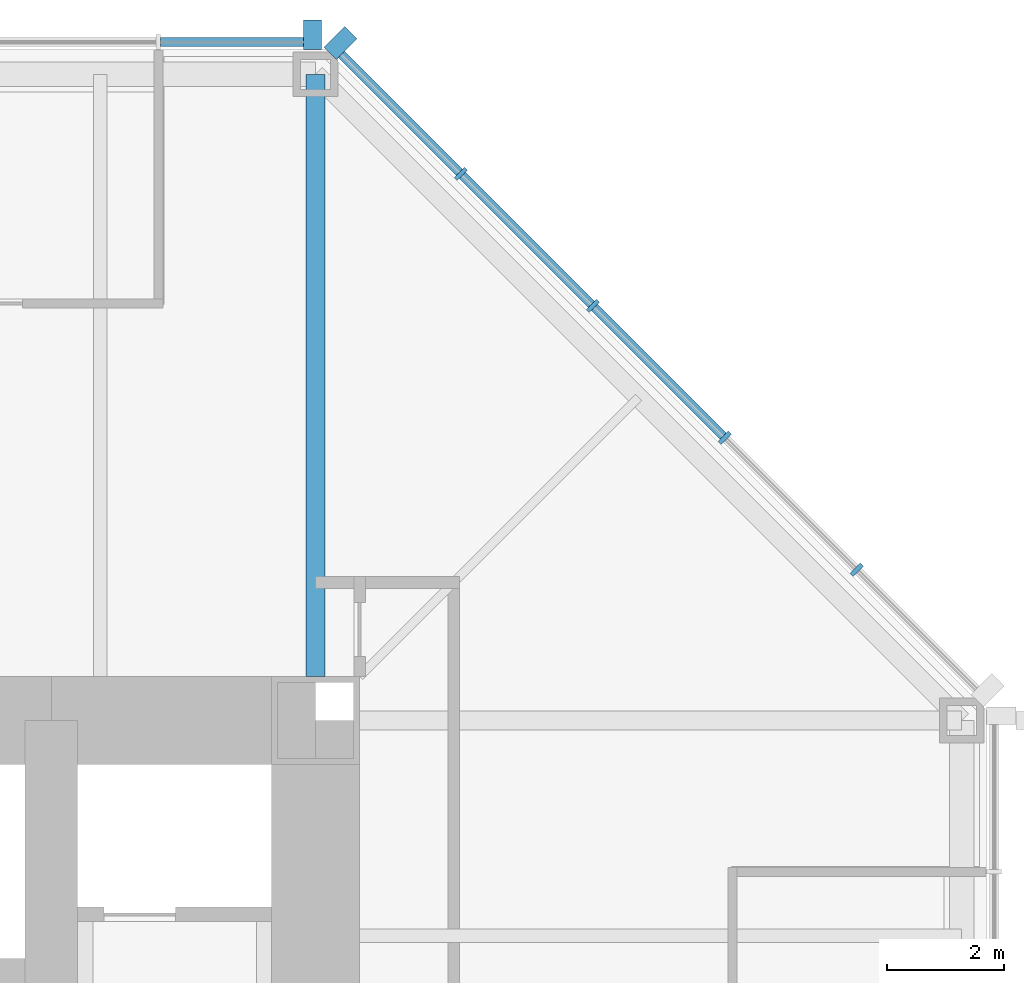
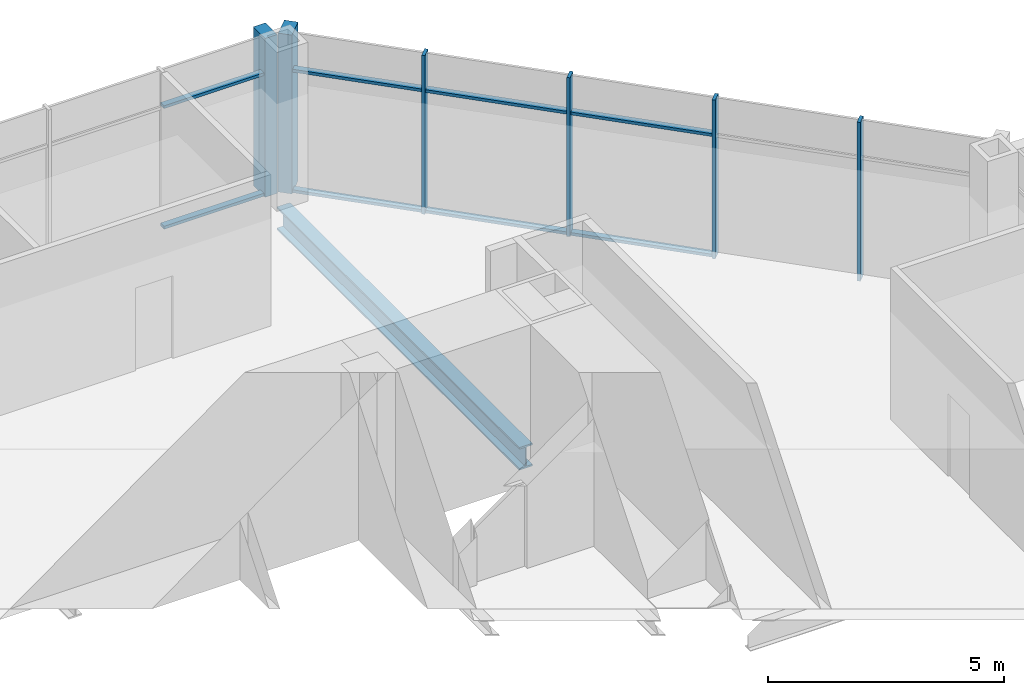
# One storey, part 6 of 12: 14 members, 1 beam, 2 elements without a shape of their own.
"""IFC4 building model written with IfcOpenShell, lengths in metres."""

import ifcopenshell
import ifcopenshell.guid

model = None  # the IFC model being written
_history = None  # IfcOwnerHistory: only IFC2X3 demands one
_inside = {}  # id of a spatial element -> (the spatial element, [elements in it])
_under = {}  # id of a project, library or spatial element -> (it, [spatial elements below it])
_declared = {}  # id of a project -> (the project, [libraries it declares])
_typed = {}  # id of a type object -> (the type object, [elements of that type])
_made_of = {}  # id of a material, layer set ... -> (it, [elements and type objects made of it])


def new_model(schema):
    """Start an empty IFC model of exactly this schema.

    Asked for "IFC4X3", IfcOpenShell would pick the latest addendum, in which some entities
    have other attributes; the version numbers below select the first issue.
    IFC2X3 requires an IfcOwnerHistory on every rooted entity: one is made here for all.
    """
    global model, _history
    if schema == "IFC4X3":
        model = ifcopenshell.file(schema_version=(4, 3, 0, 0))
    else:
        model = ifcopenshell.file(schema=schema)
    _inside.clear()
    _under.clear()
    _declared.clear()
    _typed.clear()
    _made_of.clear()
    _history = None
    if model.schema == "IFC2X3":
        org = make("IfcOrganization", Name="unknown")
        user = make(
            "IfcPersonAndOrganization",
            ThePerson=make("IfcPerson", FamilyName="unknown"),
            TheOrganization=org,
        )
        app = make(
            "IfcApplication",
            ApplicationDeveloper=org,
            Version="unknown",
            ApplicationFullName="unknown",
            ApplicationIdentifier="unknown",
        )
        _history = make(
            "IfcOwnerHistory",
            OwningUser=user,
            OwningApplication=app,
            ChangeAction="ADDED",
            CreationDate=0,
        )
    return model


def make(cls, **values):
    """One entity of the class cls with the attributes given. An attribute that is None is left unset."""
    return model.create_entity(
        cls, **{name: value for name, value in values.items() if value is not None}
    )


def rooted(cls, **values):
    """An entity with a GlobalId (a new one), such as an element, a storey or a relation."""
    return make(cls, GlobalId=ifcopenshell.guid.new(), OwnerHistory=_history, **values)


def si_unit(unit_type, name, prefix=None):
    """IfcSIUnit, for example si_unit("LENGTHUNIT", "METRE", prefix="MILLI")."""
    return make("IfcSIUnit", UnitType=unit_type, Prefix=prefix, Name=name)


def assignment(units):
    """IfcUnitAssignment: the units of a project."""
    return None if units is None else make("IfcUnitAssignment", Units=units)


def point(xyz):
    """IfcCartesianPoint."""
    return None if xyz is None else make("IfcCartesianPoint", Coordinates=xyz)


def direction(xyz):
    """IfcDirection."""
    return None if xyz is None else make("IfcDirection", DirectionRatios=xyz)


def frame(location, z_axis=None, x_axis=None):
    """IfcAxis2Placement3D, a coordinate frame: its origin and axes. An axis left out is left unset."""
    return make(
        "IfcAxis2Placement3D",
        Location=point(location),
        Axis=direction(z_axis),
        RefDirection=direction(x_axis),
    )


def frame_2d(location, x_axis=None):
    """IfcAxis2Placement2D, a coordinate frame in the plane: its origin and x axis."""
    return make(
        "IfcAxis2Placement2D", Location=point(location), RefDirection=direction(x_axis)
    )


def origin():
    """The frame at (0, 0, 0) with its axes left unset."""
    return frame((0.0, 0.0, 0.0))


def origin_2d():
    """The frame at (0, 0) in the plane with its x axis left unset."""
    return frame_2d((0.0, 0.0))


def place(relative_to, where):
    """IfcLocalPlacement: puts the frame where relative to a parent placement (None: the world)."""
    return make(
        "IfcLocalPlacement", PlacementRelTo=relative_to, RelativePlacement=where
    )


def context(
    kind, dimensions, precision=None, world=None, true_north=None, identifier=None
):
    """IfcGeometricRepresentationContext, for example the 3D "Model" context."""
    return make(
        "IfcGeometricRepresentationContext",
        ContextIdentifier=identifier,
        ContextType=kind,
        CoordinateSpaceDimension=dimensions,
        Precision=precision,
        WorldCoordinateSystem=world,
        TrueNorth=true_north,
    )


def subcontext(parent, identifier, kind, view, scale=None):
    """IfcGeometricRepresentationSubContext, for example "Body" below "Model"."""
    return make(
        "IfcGeometricRepresentationSubContext",
        ContextIdentifier=identifier,
        ContextType=kind,
        ParentContext=parent,
        TargetScale=scale,
        TargetView=view,
    )


def project(units=None, contexts=None):
    """IfcProject with its units and contexts."""
    return rooted(
        "IfcProject",
        Name="project",
        RepresentationContexts=contexts,
        UnitsInContext=assignment(units),
    )


def spatial(cls, under=None, at=None, **own):
    """A site, building, storey or space (cls), placed at a placement, below another one or the project."""
    s = rooted(cls, ObjectPlacement=at, **own)
    if under is not None:
        _under.setdefault(under.id(), (under, []))[1].append(s)
    return s


def profile(cls, at=None, kind="AREA", **sizes):
    """A parametric profile (cls). Its sizes go by their IFC names, for example OverallWidth=200.0."""
    return make(cls, ProfileType=kind, Position=at, **sizes)


def rectangle(**sizes):
    """IfcRectangleProfileDef."""
    return profile("IfcRectangleProfileDef", **sizes)


def i_section(**sizes):
    """IfcIShapeProfileDef."""
    return profile("IfcIShapeProfileDef", **sizes)


def extrude(swept, where, along, depth):
    """IfcExtrudedAreaSolid: the profile swept, set in the frame where, extruded along a direction by depth."""
    return make(
        "IfcExtrudedAreaSolid",
        SweptArea=swept,
        Position=where,
        ExtrudedDirection=direction(along),
        Depth=depth,
    )


def shape(context_of_items, identifier, shape_type, items):
    """IfcShapeRepresentation: the items that make up one representation, for example the "Body"."""
    return make(
        "IfcShapeRepresentation",
        ContextOfItems=context_of_items,
        RepresentationIdentifier=identifier,
        RepresentationType=shape_type,
        Items=items,
    )


def material(Name=None, Category=None):
    """IfcMaterial."""
    return make("IfcMaterial", Name=Name, Category=Category)


def material_profile(
    of_material, cross_section, Name=None, Category=None, Priority=None
):
    """IfcMaterialProfile: a cross section and its material."""
    return make(
        "IfcMaterialProfile",
        Name=Name,
        Material=of_material,
        Profile=cross_section,
        Priority=Priority,
        Category=Category,
    )


def profile_set(profiles, Name=None, composite=None):
    """IfcMaterialProfileSet."""
    return make(
        "IfcMaterialProfileSet",
        Name=Name,
        MaterialProfiles=profiles,
        CompositeProfile=composite,
    )


def made_of(thing, what):
    """Note that an element or type object is made of a material, layer set ...; save() writes the relation."""
    if what is not None:
        _made_of.setdefault(what.id(), (what, []))[1].append(thing)
    return thing


def type_object(cls, material=None, **own):
    """A type object (cls), such as IfcWallType, which elements share."""
    return made_of(rooted(cls, **own), material)


def element(
    cls,
    number,
    at=None,
    inside=None,
    cuts=None,
    type_object=None,
    material=None,
    context=None,
    identifier="Body",
    shape_type=None,
    held_by="IfcProductDefinitionShape",
    body=None,
    shapes=None,
    **own,
):
    """One element of the class cls, such as IfcWall. Its Tag is "e" and its number.

    at: its placement. inside: the storey or other place that contains it. cuts: it is an
    opening in that element (IfcRelVoidsElement). A single representation is given by context,
    identifier, shape_type and body (its items); several are given by shapes. held_by: the class
    of the entity that holds the representations. save() writes the other relations.
    """
    e = rooted(cls, Tag="e%d" % number, ObjectPlacement=at, **own)
    if body is not None:
        shapes = [shape(context, identifier, shape_type, body)]
    if shapes is not None:
        e.Representation = make(held_by, Representations=shapes)
    if inside is not None:
        _inside.setdefault(inside.id(), (inside, []))[1].append(e)
    if cuts is not None:
        rooted(
            "IfcRelVoidsElement", RelatingBuildingElement=cuts, RelatedOpeningElement=e
        )
    if type_object is not None:
        _typed.setdefault(type_object.id(), (type_object, []))[1].append(e)
    return made_of(e, material)


def aggregate(whole, parts):
    """IfcRelAggregates: a whole, such as a stair, and the parts it consists of."""
    return rooted("IfcRelAggregates", RelatingObject=whole, RelatedObjects=parts)


def save(model, path):
    """Write the relations noted so far, then the file.

    IfcRelAggregates (storeys below a building ...), IfcRelContainedInSpatialStructure (elements
    in a storey), IfcRelDefinesByType, IfcRelAssociatesMaterial and IfcRelDeclares: one each for
    every whole, place, type object, material and project.
    """
    for whole, parts in _under.values():
        aggregate(whole, parts)
    for where, things in _inside.values():
        rooted(
            "IfcRelContainedInSpatialStructure",
            RelatedElements=things,
            RelatingStructure=where,
        )
    for kind, things in _typed.values():
        rooted("IfcRelDefinesByType", RelatedObjects=things, RelatingType=kind)
    for what, things in _made_of.values():
        rooted("IfcRelAssociatesMaterial", RelatedObjects=things, RelatingMaterial=what)
    for by, libraries in _declared.values():
        rooted("IfcRelDeclares", RelatingContext=by, RelatedDefinitions=libraries)
    model.write(path)


model = new_model("IFC4")

# Units and contexts
model_context = context("Model", 3, precision=1e-05, world=origin(), true_north=direction((0.0, 1.0)))
body_context = subcontext(model_context, "Body", "Model", "MODEL_VIEW")
ifc_project = project(units=[si_unit("LENGTHUNIT", "METRE"), si_unit("AREAUNIT", "SQUARE_METRE"), si_unit("VOLUMEUNIT", "CUBIC_METRE"), si_unit("PLANEANGLEUNIT", "RADIAN"), si_unit("MASSUNIT", "GRAM", prefix="KILO")], contexts=[model_context])

# Site, building, storey
site_placement = place(None, origin())
site = spatial("IfcSite", under=ifc_project, at=site_placement, CompositionType="ELEMENT")
building_placement = place(site_placement, origin())
building = spatial("IfcBuilding", under=site, at=building_placement, Name="Trevanion Tower", CompositionType="ELEMENT")
storey_placement = place(building_placement, frame((0.0, 0.0, 117.199951171875)))
storey = spatial("IfcBuildingStorey", under=building, at=storey_placement, Name="L27", CompositionType="ELEMENT", Elevation=117.199951171875)

# Curtain wall, members
ifc_material_1 = material(Name="Aluminium and glass", Category="aluminium")
curtain_wall_type = type_object("IfcCurtainWallType", Name="CW2 curtain wall", PredefinedType="USERDEFINED", material=ifc_material_1)
curtain_wall_1_placement = place(storey_placement, origin())
curtain_wall_1 = element("IfcCurtainWall", 1, at=curtain_wall_1_placement, inside=storey, type_object=curtain_wall_type, Name="CW2 L27 1", ObjectType="UNITISED CURTAIN WALL", PredefinedType="USERDEFINED")
ifc_material_2 = material(Name="Aluminium extrusion, anodised bronze", Category="aluminium")
ifc_material_profile_1 = material_profile(ifc_material_2, rectangle(XDim=0.074951171875, YDim=0.25, at=origin_2d()), Name="CW2 mullion")
ifc_profile_set_1 = profile_set([ifc_material_profile_1], Name="Aluminium extrusion, anodised bronze")
member_type_1 = type_object("IfcMemberType", Name="CW2 mullion", PredefinedType="MULLION", material=ifc_profile_set_1)
member_1_placement = place(storey_placement, frame((20.2119140625, 13.56591796875, -0.18994140625), z_axis=(0.0, 0.0, 1.0), x_axis=(-0.707106781187, 0.707106781187, 0.0)))
member_1 = element("IfcMember", 2, at=member_1_placement, type_object=member_type_1, Name="CW2 mullion 2", PredefinedType="MULLION", context=body_context, shape_type="SweptSolid", body=[
    extrude(rectangle(XDim=0.074951171875, YDim=0.25, at=origin_2d()), origin(), (0.0, 0.0, 1.0), 4.10009765625),
])
member_2_placement = place(storey_placement, frame((17.966064453125, 15.811767578125, -0.18994140625), z_axis=(0.0, 0.0, 1.0), x_axis=(-0.707106781187, 0.707106781187, 0.0)))
member_2 = element("IfcMember", 3, at=member_2_placement, type_object=member_type_1, Name="CW2 mullion 3", PredefinedType="MULLION", context=body_context, shape_type="SweptSolid", body=[
    extrude(rectangle(XDim=0.074951171875, YDim=0.25, at=origin_2d()), origin(), (0.0, 0.0, 1.0), 4.10009765625),
])
member_3_placement = place(storey_placement, frame((15.719970703125, 18.057861328125, -0.18994140625), z_axis=(0.0, 0.0, 1.0), x_axis=(-0.707106781187, 0.707106781187, 0.0)))
member_3 = element("IfcMember", 4, at=member_3_placement, type_object=member_type_1, Name="CW2 mullion 4", PredefinedType="MULLION", context=body_context, shape_type="SweptSolid", body=[
    extrude(rectangle(XDim=0.074951171875, YDim=0.25, at=origin_2d()), origin(), (0.0, 0.0, 1.0), 4.10009765625),
])
member_4_placement = place(storey_placement, frame((13.473876953125, 20.303955078125, -0.18994140625), z_axis=(0.0, 0.0, 1.0), x_axis=(-0.707106781187, 0.707106781187, 0.0)))
member_4 = element("IfcMember", 5, at=member_4_placement, type_object=member_type_1, Name="CW2 mullion 5", PredefinedType="MULLION", context=body_context, shape_type="SweptSolid", body=[
    extrude(rectangle(XDim=0.074951171875, YDim=0.25, at=origin_2d()), origin(), (0.0, 0.0, 1.0), 4.10009765625),
])
ifc_material_3 = material(Name="Aluminium extrusion, anodised bronze", Category="aluminium")
ifc_material_profile_2 = material_profile(ifc_material_3, rectangle(XDim=0.300048828125, YDim=0.5, at=origin_2d()), Name="CW2 pier mullion")
ifc_profile_set_2 = profile_set([ifc_material_profile_2], Name="Aluminium extrusion, anodised bronze")
member_type_2 = type_object("IfcMemberType", Name="CW2 pier mullion", PredefinedType="MULLION", material=ifc_profile_set_2)
member_5_placement = place(storey_placement, frame((11.42236328125, 22.5322265625, -0.18994140625), z_axis=(0.0, 0.0, 1.0), x_axis=(-0.707106781187, 0.707106781187, 0.0)))
member_5 = element("IfcMember", 6, at=member_5_placement, type_object=member_type_2, Name="CW2 pier mullion 6", PredefinedType="MULLION", context=body_context, shape_type="SweptSolid", body=[
    extrude(rectangle(XDim=0.300048828125, YDim=0.5, at=origin_2d()), origin(), (0.0, 0.0, 1.0), 4.10009765625),
])

# Curtain wall, member
curtain_wall_2_placement = place(storey_placement, origin())
curtain_wall_2 = element("IfcCurtainWall", 7, at=curtain_wall_2_placement, inside=storey, type_object=curtain_wall_type, Name="CW2 L27 2", ObjectType="UNITISED CURTAIN WALL", PredefinedType="USERDEFINED")
member_6_placement = place(storey_placement, frame((10.94775390625, 22.675048828125, -0.18994140625), z_axis=(0.0, 0.0, 1.0), x_axis=(-1.0, 0.0, 0.0)))
member_6 = element("IfcMember", 8, at=member_6_placement, type_object=member_type_2, Name="CW2 pier mullion 1", PredefinedType="MULLION", context=body_context, shape_type="SweptSolid", body=[
    extrude(rectangle(XDim=0.300048828125, YDim=0.5, at=origin_2d()), origin(), (0.0, 0.0, 1.0), 4.10009765625),
])

# Member
ifc_material_4 = material(Name="Aluminium extrusion, anodised bronze", Category="aluminium")
ifc_material_profile_3 = material_profile(ifc_material_4, rectangle(XDim=0.14990234375, YDim=0.074951171875, at=origin_2d()), Name="CW2 transom")
ifc_profile_set_3 = profile_set([ifc_material_profile_3], Name="Aluminium extrusion, anodised bronze")
member_type_3 = type_object("IfcMemberType", Name="CW2 transom", PredefinedType="USERDEFINED", material=ifc_profile_set_3)
member_7_placement = place(storey_placement, frame((17.939453125, 15.83837890625, -0.15234375), z_axis=(-0.707106781187, 0.707106781187, 0.0), x_axis=(-0.707106781187, -0.707106781187, 0.0)))
member_7 = element("IfcMember", 9, at=member_7_placement, type_object=member_type_3, Name="CW2 transom 3.1", ObjectType="TRANSOM", PredefinedType="USERDEFINED", context=body_context, shape_type="SweptSolid", body=[
    extrude(rectangle(XDim=0.14990234375, YDim=0.074951171875, at=origin_2d()), origin(), (0.0, 0.0, 1.0), 3.1015625),
])

member_8_placement = place(storey_placement, frame((17.939453125, 15.83837890625, 2.9599609375), z_axis=(-0.707106781187, 0.707106781187, 0.0), x_axis=(-0.707106781187, -0.707106781187, 0.0)))
member_8 = element("IfcMember", 10, at=member_8_placement, type_object=member_type_3, Name="CW2 transom 3.2", ObjectType="TRANSOM", PredefinedType="USERDEFINED", context=body_context, shape_type="SweptSolid", body=[
    extrude(rectangle(XDim=0.14990234375, YDim=0.074951171875, at=origin_2d()), origin(), (0.0, 0.0, 1.0), 3.1015625),
])

member_9_placement = place(storey_placement, frame((15.693359375, 18.08447265625, -0.15234375), z_axis=(-0.707106781187, 0.707106781187, 0.0), x_axis=(-0.707106781187, -0.707106781187, 0.0)))
member_9 = element("IfcMember", 11, at=member_9_placement, type_object=member_type_3, Name="CW2 transom 4.1", ObjectType="TRANSOM", PredefinedType="USERDEFINED", context=body_context, shape_type="SweptSolid", body=[
    extrude(rectangle(XDim=0.14990234375, YDim=0.074951171875, at=origin_2d()), origin(), (0.0, 0.0, 1.0), 3.10107421875),
])

member_10_placement = place(storey_placement, frame((15.693359375, 18.08447265625, 2.9599609375), z_axis=(-0.707106781187, 0.707106781187, 0.0), x_axis=(-0.707106781187, -0.707106781187, 0.0)))
member_10 = element("IfcMember", 12, at=member_10_placement, type_object=member_type_3, Name="CW2 transom 4.2", ObjectType="TRANSOM", PredefinedType="USERDEFINED", context=body_context, shape_type="SweptSolid", body=[
    extrude(rectangle(XDim=0.14990234375, YDim=0.074951171875, at=origin_2d()), origin(), (0.0, 0.0, 1.0), 3.10107421875),
])

member_11_placement = place(storey_placement, frame((13.447509765625, 20.33056640625, -0.15234375), z_axis=(-0.707149778163, 0.707063781595, 0.0), x_axis=(-0.707063781595, -0.707149778163, 0.0)))
member_11 = element("IfcMember", 13, at=member_11_placement, type_object=member_type_3, Name="CW2 transom 5.1", ObjectType="TRANSOM", PredefinedType="USERDEFINED", context=body_context, shape_type="SweptSolid", body=[
    extrude(rectangle(XDim=0.14990234375, YDim=0.074951171875, at=origin_2d()), origin(), (0.0, 0.0, 1.0), 2.8388671875),
])

member_12_placement = place(storey_placement, frame((13.447509765625, 20.33056640625, 2.9599609375), z_axis=(-0.707149778163, 0.707063781595, 0.0), x_axis=(-0.707063781595, -0.707149778163, 0.0)))
member_12 = element("IfcMember", 14, at=member_12_placement, type_object=member_type_3, Name="CW2 transom 5.2", ObjectType="TRANSOM", PredefinedType="USERDEFINED", context=body_context, shape_type="SweptSolid", body=[
    extrude(rectangle(XDim=0.14990234375, YDim=0.074951171875, at=origin_2d()), origin(), (0.0, 0.0, 1.0), 2.8388671875),
])

aggregate(curtain_wall_1, [member_1, member_2, member_3, member_4, member_5, member_7, member_8, member_9, member_10, member_11, member_12])

member_13_placement = place(storey_placement, frame((10.7978515625, 22.550048828125, -0.15234375), z_axis=(-1.0, 0.0, 0.0), x_axis=(0.0, -1.0, 0.0)))
member_13 = element("IfcMember", 15, at=member_13_placement, type_object=member_type_3, Name="CW2 transom 1.1", ObjectType="TRANSOM", PredefinedType="USERDEFINED", context=body_context, shape_type="SweptSolid", body=[
    extrude(rectangle(XDim=0.14990234375, YDim=0.074951171875, at=origin_2d()), origin(), (0.0, 0.0, 1.0), 2.43701171875),
])

member_14_placement = place(storey_placement, frame((10.7978515625, 22.550048828125, 2.9599609375), z_axis=(-1.0, 0.0, 0.0), x_axis=(0.0, -1.0, 0.0)))
member_14 = element("IfcMember", 16, at=member_14_placement, type_object=member_type_3, Name="CW2 transom 1.2", ObjectType="TRANSOM", PredefinedType="USERDEFINED", context=body_context, shape_type="SweptSolid", body=[
    extrude(rectangle(XDim=0.14990234375, YDim=0.074951171875, at=origin_2d()), origin(), (0.0, 0.0, 1.0), 2.43701171875),
])

aggregate(curtain_wall_2, [member_6, member_13, member_14])

# Beam
ifc_material_5 = material(Name="Steel ASTM A992 Grade 50", Category="steel")
ifc_material_profile_4 = material_profile(ifc_material_5, i_section(OverallWidth=0.320068359375, OverallDepth=0.584228515625, WebThickness=0.023193359375, FlangeThickness=0.04150390625, at=origin_2d()), Name="W21X201")
ifc_profile_set_4 = profile_set([ifc_material_profile_4], Name="Steel ASTM A992 Grade 50")
beam_type = type_object("IfcBeamType", Name="G4 W21X201", PredefinedType="BEAM", material=ifc_profile_set_4)
beam_placement = place(storey_placement, frame((11.0, 11.75, -0.48193359375), z_axis=(0.0, 1.0, 0.0), x_axis=(-1.0, 0.0, 0.0)))
element("IfcBeam", 17, at=beam_placement, inside=storey, type_object=beam_type, Name="G4 L27", PredefinedType="BEAM", context=body_context, shape_type="SweptSolid", body=[
    extrude(i_section(OverallWidth=0.320068359375, OverallDepth=0.584228515625, WebThickness=0.023193359375, FlangeThickness=0.04150390625, at=origin_2d()), origin(), (0.0, 0.0, 1.0), 10.25),
])

save(model, "model.ifc")
